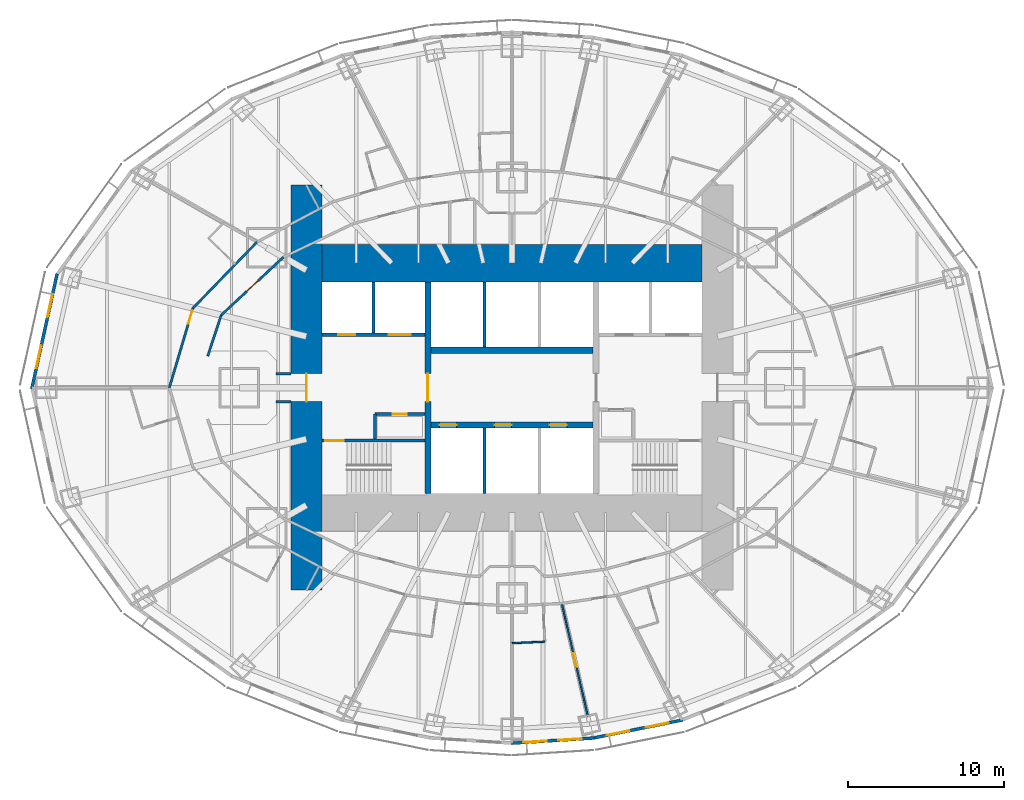
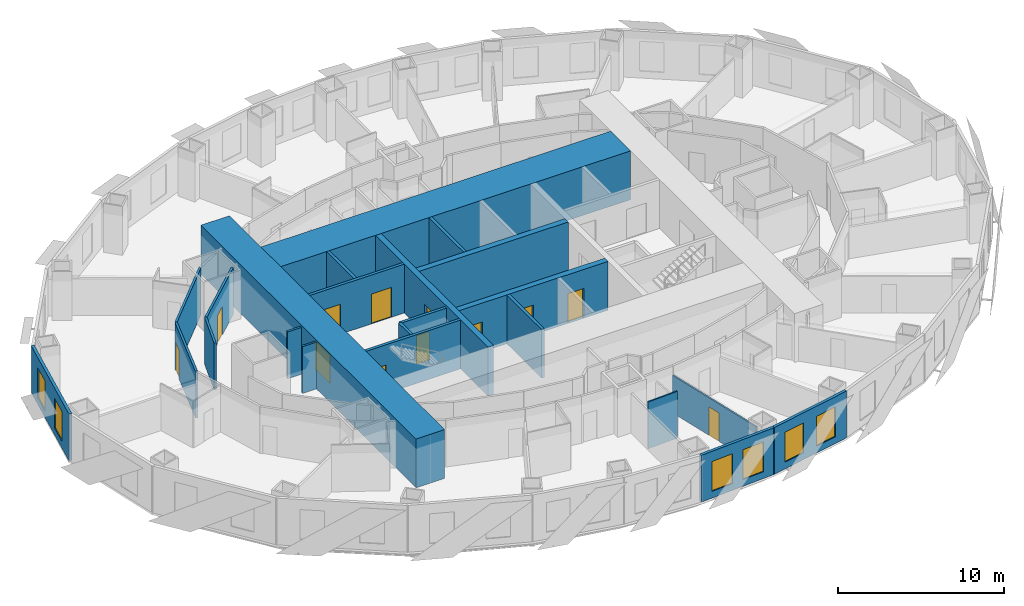
# One storey, part 6 of 15: 23 walls, 12 doors, 6 windows, 18 openings.
"""IFC4 building model written with IfcOpenShell, lengths in metres."""

from ifc_helpers import new_model, si_unit, direction, frame, frame_2d, origin, place, context, subcontext, project, spatial, rectangle, extrude, material, layer, layer_set, type_object, element, fill, save


model = new_model("IFC4")

# Units and contexts
model_context = context("Model", 3, precision=1e-05, world=origin(), true_north=direction((0.0, 1.0)))
body_context = subcontext(model_context, "Body", "Model", "MODEL_VIEW")
ifc_project = project(units=[si_unit("LENGTHUNIT", "METRE"), si_unit("AREAUNIT", "SQUARE_METRE"), si_unit("VOLUMEUNIT", "CUBIC_METRE"), si_unit("PLANEANGLEUNIT", "RADIAN"), si_unit("MASSUNIT", "GRAM", prefix="KILO")], contexts=[model_context])

# Site, building, storey
site_placement = place(None, origin())
site = spatial("IfcSite", under=ifc_project, at=site_placement, CompositionType="ELEMENT")
building_placement = place(site_placement, origin())
building = spatial("IfcBuilding", under=site, at=building_placement, Name="Lantaw Convention Tower", CompositionType="ELEMENT")
storey_placement = place(building_placement, frame((0.0, 0.0, 76.60009765625)))
storey = spatial("IfcBuildingStorey", under=building, at=storey_placement, Name="L17", CompositionType="ELEMENT", Elevation=76.60009765625)

# Wall
ifc_material_1 = material(Name="Moisture resistant gypsum board on steel studs", Category="steel")
ifc_layer_1 = layer(ifc_material_1, 0.10009765625)
ifc_layer_set_1 = layer_set([ifc_layer_1], Name="Bathroom wall 100")
wall_type_1 = type_object("IfcWallType", Name="Bathroom wall 100", PredefinedType="PARTITIONING", material=ifc_layer_set_1)
wall_1_placement = place(storey_placement, frame((2.109375, -16.304443359375, 0.0), z_axis=(0.0, 0.0, 1.0), x_axis=(-0.998919337223, -0.04647749694, 0.0)))
element("IfcWall", 1, at=wall_1_placement, inside=storey, type_object=wall_type_1, Name="Bathroom wall 100", PredefinedType="PARTITIONING", context=body_context, shape_type="SweptSolid", body=[
    extrude(rectangle(XDim=2.111572265625, YDim=0.10009765625, at=frame_2d((1.0556640625, 0.0))), origin(), (0.0, 0.0, 1.0), 3.449951171875),
])

# Wall, opening, door
ifc_material_2 = material(Name="Concrete C60/75", Category="concrete")
ifc_layer_2 = layer(ifc_material_2, 0.199951171875)
ifc_layer_set_2 = layer_set([ifc_layer_2], Name="Core wall 200")
wall_type_2 = type_object("IfcWallType", Name="Core wall 200", PredefinedType="SHEAR", material=ifc_layer_set_2)
wall_2_placement = place(storey_placement, frame((-5.60009765625, -3.39990234375, 0.0), z_axis=(0.0, 0.0, 1.0), x_axis=(-1.0, 0.0, 0.0)))
wall_2 = element("IfcWall", 2, at=wall_2_placement, inside=storey, type_object=wall_type_2, Name="Core wall WS", PredefinedType="SHEAR", context=body_context, shape_type="SweptSolid", body=[
    extrude(rectangle(XDim=6.599853515625, YDim=0.199951171875, at=frame_2d((3.2998046875, 0.0))), origin(), (0.0, 0.0, 1.0), 3.599853515625),
])
opening_1_placement = place(wall_2_placement, frame((5.199951171875, 0.0, 0.0)))
opening_1 = element("IfcOpeningElement", 3, at=opening_1_placement, cuts=wall_2, Name="Opening L17.06", PredefinedType="OPENING", context=body_context, shape_type="SweptSolid", body=[
    extrude(rectangle(XDim=1.199951171875, YDim=2.10009765625, at=frame_2d((0.60009765625, 1.050048828125))), frame((0.0, 0.10986328125, 0.0), z_axis=(0.0, -1.0, 0.0), x_axis=(1.0, 0.0, 0.0)), (0.0, 0.0, 1.0), 0.219970703125),
])
ifc_material_3 = material(Name="Steel, fire rated", Category="steel")
door_type_1 = type_object("IfcDoorType", Name="Stair door FD90", OperationType="SINGLE_SWING_RIGHT", PredefinedType="DOOR", material=ifc_material_3)
door_1_placement = place(opening_1_placement, origin())
door_1 = element("IfcDoor", 4, at=door_1_placement, inside=storey, type_object=door_type_1, Name="Exit stair door", OperationType="SINGLE_SWING_RIGHT", OverallHeight=2.10009765625, OverallWidth=1.199951171875, PredefinedType="DOOR", context=body_context, shape_type="SweptSolid", body=[
    extrude(rectangle(XDim=1.199951171875, YDim=2.10009765625, at=frame_2d((0.60009765625, 1.050048828125))), frame((0.0, 0.02490234375, 0.0), z_axis=(0.0, -1.0, 0.0), x_axis=(1.0, 0.0, 0.0)), (0.0, 0.0, 1.0), 0.050048828125),
])
fill(opening_1, door_1)

ifc_layer_3 = layer(ifc_material_2, 2.0)
ifc_layer_set_3 = layer_set([ifc_layer_3], Name="Core wall 2000")
wall_type_3 = type_object("IfcWallType", Name="Core wall 2000", PredefinedType="SHEAR", material=ifc_layer_set_3)
wall_3_placement = place(storey_placement, frame((-13.199951171875, 13.0, 0.0), z_axis=(0.0, 0.0, 1.0), x_axis=(0.0, -1.0, 0.0)))
wall_3 = element("IfcWall", 5, at=wall_3_placement, inside=storey, type_object=wall_type_3, Name="Core wall W", PredefinedType="SHEAR", context=body_context, shape_type="SweptSolid", body=[
    extrude(rectangle(XDim=26.0, YDim=2.0, at=frame_2d((13.0, 0.0))), origin(), (0.0, 0.0, 1.0), 3.599853515625),
])
opening_2_placement = place(wall_3_placement, frame((12.10009765625, 0.0, 0.0)))
opening_2 = element("IfcOpeningElement", 6, at=opening_2_placement, cuts=wall_3, Name="Opening L17.08", PredefinedType="OPENING", context=body_context, shape_type="SweptSolid", body=[
    extrude(rectangle(XDim=1.800048828125, YDim=2.10009765625, at=frame_2d((0.89990234375, 1.050048828125))), frame((0.0, 1.010009765625, 0.0), z_axis=(0.0, -1.0, 0.0), x_axis=(1.0, 0.0, 0.0)), (0.0, 0.0, 1.0), 2.02001953125),
])
door_type_2 = type_object("IfcDoorType", Name="Lobby double door FD90", OperationType="DOUBLE_DOOR_DOUBLE_SWING", PredefinedType="DOOR", material=ifc_material_3)
door_2_placement = place(opening_2_placement, origin())
door_2 = element("IfcDoor", 7, at=door_2_placement, inside=storey, type_object=door_type_2, Name="Firefighting lobby door", OperationType="DOUBLE_DOOR_DOUBLE_SWING", OverallHeight=2.10009765625, OverallWidth=1.800048828125, PredefinedType="DOOR", context=body_context, shape_type="SweptSolid", body=[
    extrude(rectangle(XDim=1.800048828125, YDim=2.10009765625, at=frame_2d((0.89990234375, 1.050048828125))), frame((0.0, 0.02490234375, 0.0), z_axis=(0.0, -1.0, 0.0), x_axis=(1.0, 0.0, 0.0)), (0.0, 0.0, 1.0), 0.050048828125),
])
fill(opening_2, door_2)

# Wall
ifc_layer_4 = layer(ifc_material_2, 2.39990234375)
ifc_layer_set_4 = layer_set([ifc_layer_4], Name="Core wall 2400")
wall_type_4 = type_object("IfcWallType", Name="Core wall 2400", PredefinedType="SHEAR", material=ifc_layer_set_4)
wall_4_placement = place(storey_placement, frame((12.199951171875, 8.0, 0.0), z_axis=(0.0, 0.0, 1.0), x_axis=(-1.0, 0.0, 0.0)))
element("IfcWall", 8, at=wall_4_placement, inside=storey, type_object=wall_type_4, Name="Core wall N", PredefinedType="SHEAR", context=body_context, shape_type="SweptSolid", body=[
    extrude(rectangle(XDim=24.39990234375, YDim=2.39990234375, at=frame_2d((12.199951171875, 0.0))), origin(), (0.0, 0.0, 1.0), 3.599853515625),
])

# Wall, opening, door
ifc_layer_5 = layer(ifc_material_2, 0.39990234375)
ifc_layer_set_5 = layer_set([ifc_layer_5], Name="Core wall 400")
wall_type_5 = type_object("IfcWallType", Name="Core wall 400", PredefinedType="SHEAR", material=ifc_layer_set_5)
wall_5_placement = place(storey_placement, frame((-5.39990234375, 6.800048828125, 0.0), z_axis=(0.0, 0.0, 1.0), x_axis=(0.0, -1.0, 0.0)))
wall_5 = element("IfcWall", 9, at=wall_5_placement, inside=storey, type_object=wall_type_5, Name="Core wall XW", PredefinedType="SHEAR", context=body_context, shape_type="SweptSolid", body=[
    extrude(rectangle(XDim=13.60009765625, YDim=0.39990234375, at=frame_2d((6.800048828125, 0.0))), origin(), (0.0, 0.0, 1.0), 3.599853515625),
])
opening_3_placement = place(wall_5_placement, frame((5.89990234375, 0.0, 0.0)))
opening_3 = element("IfcOpeningElement", 10, at=opening_3_placement, cuts=wall_5, Name="Opening L17.04", PredefinedType="OPENING", context=body_context, shape_type="SweptSolid", body=[
    extrude(rectangle(XDim=1.800048828125, YDim=2.10009765625, at=frame_2d((0.89990234375, 1.050048828125))), frame((0.0, 0.2099609375, 0.0), z_axis=(0.0, -1.0, 0.0), x_axis=(1.0, 0.0, 0.0)), (0.0, 0.0, 1.0), 0.419921875),
])
door_3_placement = place(opening_3_placement, origin())
door_3 = element("IfcDoor", 11, at=door_3_placement, inside=storey, type_object=door_type_2, Name="Lift lobby door", OperationType="DOUBLE_DOOR_DOUBLE_SWING", OverallHeight=2.10009765625, OverallWidth=1.800048828125, PredefinedType="DOOR", context=body_context, shape_type="SweptSolid", body=[
    extrude(rectangle(XDim=1.800048828125, YDim=2.10009765625, at=frame_2d((0.89990234375, 1.050048828125))), frame((0.0, 0.02490234375, 0.0), z_axis=(0.0, -1.0, 0.0), x_axis=(1.0, 0.0, 0.0)), (0.0, 0.0, 1.0), 0.050048828125),
])
fill(opening_3, door_3)

# Wall, openings, doors
wall_6_placement = place(storey_placement, frame((-5.199951171875, -2.39990234375, 0.0), z_axis=(0.0, 0.0, 1.0), x_axis=(1.0, 0.0, 0.0)))
wall_6 = element("IfcWall", 12, at=wall_6_placement, inside=storey, type_object=wall_type_5, Name="Core wall BS", PredefinedType="SHEAR", context=body_context, shape_type="SweptSolid", body=[
    extrude(rectangle(XDim=10.39990234375, YDim=0.39990234375, at=frame_2d((5.199951171875, 0.0))), origin(), (0.0, 0.0, 1.0), 3.599853515625),
])
opening_4_placement = place(wall_6_placement, frame((0.550048828125, 0.0, 0.0)))
opening_4 = element("IfcOpeningElement", 13, at=opening_4_placement, cuts=wall_6, Name="Opening L17.09", PredefinedType="OPENING", context=body_context, shape_type="SweptSolid", body=[
    extrude(rectangle(XDim=1.10009765625, YDim=2.199951171875, at=frame_2d((0.550048828125, 1.10009765625))), frame((0.0, 0.2099609375, 0.0), z_axis=(0.0, -1.0, 0.0), x_axis=(1.0, 0.0, 0.0)), (0.0, 0.0, 1.0), 0.419921875),
])
opening_5_placement = place(wall_6_placement, frame((4.083251953125, 0.0, 0.0)))
opening_5 = element("IfcOpeningElement", 14, at=opening_5_placement, cuts=wall_6, Name="Opening L17.10", PredefinedType="OPENING", context=body_context, shape_type="SweptSolid", body=[
    extrude(rectangle(XDim=1.10009765625, YDim=2.199951171875, at=frame_2d((0.550048828125, 1.10009765625))), frame((0.0, 0.2099609375, 0.0), z_axis=(0.0, -1.0, 0.0), x_axis=(1.0, 0.0, 0.0)), (0.0, 0.0, 1.0), 0.419921875),
])
opening_6_placement = place(wall_6_placement, frame((7.61669921875, 0.0, 0.0)))
opening_6 = element("IfcOpeningElement", 15, at=opening_6_placement, cuts=wall_6, Name="Opening L17.11", PredefinedType="OPENING", context=body_context, shape_type="SweptSolid", body=[
    extrude(rectangle(XDim=1.10009765625, YDim=2.199951171875, at=frame_2d((0.550048828125, 1.10009765625))), frame((0.0, 0.2099609375, 0.0), z_axis=(0.0, -1.0, 0.0), x_axis=(1.0, 0.0, 0.0)), (0.0, 0.0, 1.0), 0.419921875),
])
ifc_material_4 = material(Name="Stainless steel", Category="steel")
door_type_3 = type_object("IfcDoorType", Name="Lift landing door 1100", OperationType="DOUBLE_DOOR_SLIDING", PredefinedType="DOOR", material=ifc_material_4)
door_4_placement = place(opening_4_placement, origin())
door_4 = element("IfcDoor", 16, at=door_4_placement, inside=storey, type_object=door_type_3, Name="Lift landing door H1", OperationType="DOUBLE_DOOR_SLIDING", OverallHeight=2.199951171875, OverallWidth=1.10009765625, PredefinedType="DOOR", context=body_context, shape_type="SweptSolid", body=[
    extrude(rectangle(XDim=1.10009765625, YDim=2.199951171875, at=frame_2d((0.550048828125, 1.10009765625))), frame((0.0, 0.02490234375, 0.0), z_axis=(0.0, -1.0, 0.0), x_axis=(1.0, 0.0, 0.0)), (0.0, 0.0, 1.0), 0.050048828125),
])
fill(opening_4, door_4)
door_5_placement = place(opening_5_placement, origin())
door_5 = element("IfcDoor", 17, at=door_5_placement, inside=storey, type_object=door_type_3, Name="Lift landing door H2", OperationType="DOUBLE_DOOR_SLIDING", OverallHeight=2.199951171875, OverallWidth=1.10009765625, PredefinedType="DOOR", context=body_context, shape_type="SweptSolid", body=[
    extrude(rectangle(XDim=1.10009765625, YDim=2.199951171875, at=frame_2d((0.550048828125, 1.10009765625))), frame((0.0, 0.02490234375, 0.0), z_axis=(0.0, -1.0, 0.0), x_axis=(1.0, 0.0, 0.0)), (0.0, 0.0, 1.0), 0.050048828125),
])
fill(opening_5, door_5)
door_6_placement = place(opening_6_placement, origin())
door_6 = element("IfcDoor", 18, at=door_6_placement, inside=storey, type_object=door_type_3, Name="Lift landing door H3", OperationType="DOUBLE_DOOR_SLIDING", OverallHeight=2.199951171875, OverallWidth=1.10009765625, PredefinedType="DOOR", context=body_context, shape_type="SweptSolid", body=[
    extrude(rectangle(XDim=1.10009765625, YDim=2.199951171875, at=frame_2d((0.550048828125, 1.10009765625))), frame((0.0, 0.02490234375, 0.0), z_axis=(0.0, -1.0, 0.0), x_axis=(1.0, 0.0, 0.0)), (0.0, 0.0, 1.0), 0.050048828125),
])
fill(opening_6, door_6)

# Walls
wall_7_placement = place(storey_placement, frame((5.199951171875, 2.39990234375, 0.0), z_axis=(0.0, 0.0, 1.0), x_axis=(-1.0, 0.0, 0.0)))
element("IfcWall", 19, at=wall_7_placement, inside=storey, type_object=wall_type_5, Name="Core wall BN", PredefinedType="SHEAR", context=body_context, shape_type="SweptSolid", body=[
    extrude(rectangle(XDim=10.39990234375, YDim=0.39990234375, at=frame_2d((5.199951171875, 0.0))), origin(), (0.0, 0.0, 1.0), 3.599853515625),
])
ifc_material_5 = material(Name="Gypsum board on steel studs, fire rated", Category="steel")
ifc_layer_6 = layer(ifc_material_5, 0.14990234375)
ifc_layer_set_6 = layer_set([ifc_layer_6], Name="Corridor wall 150 EI 60")
wall_type_6 = type_object("IfcWallType", Name="Corridor wall 150 EI 60", PredefinedType="PARTITIONING", material=ifc_layer_set_6)
wall_8_placement = place(storey_placement, frame((-16.369140625, 9.353759765625, 0.0), z_axis=(0.0, 0.0, 1.0), x_axis=(-0.695871090686, -0.71816671125, 0.0)))
element("IfcWall", 20, at=wall_8_placement, inside=storey, type_object=wall_type_6, Name="Corridor wall 150", PredefinedType="PARTITIONING", context=body_context, shape_type="SweptSolid", body=[
    extrude(rectangle(XDim=5.9130859375, YDim=0.14990234375, at=frame_2d((2.95654296875, 0.0))), origin(), (0.0, 0.0, 1.0), 3.449951171875),
])

# Wall, opening, door
wall_9_placement = place(storey_placement, frame((-20.48388671875, 5.107177734375, 0.0), z_axis=(0.0, 0.0, 1.0), x_axis=(-0.284584469409, -0.95865096869, 0.0)))
wall_9 = element("IfcWall", 21, at=wall_9_placement, inside=storey, type_object=wall_type_6, Name="Corridor wall 150", PredefinedType="PARTITIONING", context=body_context, shape_type="SweptSolid", body=[
    extrude(rectangle(XDim=5.327392578125, YDim=0.14990234375, at=frame_2d((2.66357421875, 0.0))), origin(), (0.0, 0.0, 1.0), 3.449951171875),
])
opening_7_placement = place(wall_9_placement, frame((0.14990234375, 0.0, 0.0)))
opening_7 = element("IfcOpeningElement", 22, at=opening_7_placement, cuts=wall_9, Name="Opening L17.40", PredefinedType="OPENING", context=body_context, shape_type="SweptSolid", body=[
    extrude(rectangle(XDim=0.89990234375, YDim=2.10009765625, at=frame_2d((0.449951171875, 1.050048828125))), frame((0.0, 0.0849609375, 0.0), z_axis=(0.0, -1.0, 0.0), x_axis=(1.0, 0.0, 0.0)), (0.0, 0.0, 1.0), 0.169921875),
])
door_type_4 = type_object("IfcDoorType", Name="Guest room entrance door FD30S", OperationType="SINGLE_SWING_LEFT", PredefinedType="DOOR", material=ifc_material_3)
door_7_placement = place(opening_7_placement, origin())
door_7 = element("IfcDoor", 23, at=door_7_placement, inside=storey, type_object=door_type_4, Name="Junior suite entrance door", OperationType="SINGLE_SWING_LEFT", OverallHeight=2.10009765625, OverallWidth=0.89990234375, PredefinedType="DOOR", context=body_context, shape_type="SweptSolid", body=[
    extrude(rectangle(XDim=0.89990234375, YDim=2.10009765625, at=frame_2d((0.449951171875, 1.050048828125))), frame((0.0, 0.02490234375, 0.0), z_axis=(0.0, -1.0, 0.0), x_axis=(1.0, 0.0, 0.0)), (0.0, 0.0, 1.0), 0.050048828125),
])
fill(opening_7, door_7)

wall_10_placement = place(storey_placement, frame((-14.67333984375, 8.384765625, 0.0), z_axis=(0.0, 0.0, 1.0), x_axis=(-0.731260145007, -0.682098673452, 0.0)))
wall_10 = element("IfcWall", 24, at=wall_10_placement, inside=storey, type_object=wall_type_6, Name="Corridor wall 150", PredefinedType="PARTITIONING", context=body_context, shape_type="SweptSolid", body=[
    extrude(rectangle(XDim=5.4677734375, YDim=0.14990234375, at=frame_2d((2.73388671875, 0.0))), origin(), (0.0, 0.0, 1.0), 3.449951171875),
])
opening_8_placement = place(wall_10_placement, frame((2.23388671875, 0.0, 0.0)))
opening_8 = element("IfcOpeningElement", 25, at=opening_8_placement, cuts=wall_10, Name="Opening L17.18", PredefinedType="OPENING", context=body_context, shape_type="SweptSolid", body=[
    extrude(rectangle(XDim=1.0, YDim=2.10009765625, at=frame_2d((0.5, 1.050048828125))), frame((0.0, 0.0849609375, 0.0), z_axis=(0.0, -1.0, 0.0), x_axis=(1.0, 0.0, 0.0)), (0.0, 0.0, 1.0), 0.169921875),
])
door_type_5 = type_object("IfcDoorType", Name="Service door 1000 FD30", OperationType="SINGLE_SWING_LEFT", PredefinedType="DOOR", material=ifc_material_3)
door_8_placement = place(opening_8_placement, origin())
door_8 = element("IfcDoor", 26, at=door_8_placement, inside=storey, type_object=door_type_5, Name="Housekeeping room door", OperationType="SINGLE_SWING_LEFT", OverallHeight=2.10009765625, OverallWidth=1.0, PredefinedType="DOOR", context=body_context, shape_type="SweptSolid", body=[
    extrude(rectangle(XDim=1.0, YDim=2.10009765625, at=frame_2d((0.5, 1.050048828125))), frame((0.0, 0.02490234375, 0.0), z_axis=(0.0, -1.0, 0.0), x_axis=(1.0, 0.0, 0.0)), (0.0, 0.0, 1.0), 0.050048828125),
])
fill(opening_8, door_8)

# Walls
wall_11_placement = place(storey_placement, frame((-18.671630859375, 4.6552734375, 0.0), z_axis=(0.0, 0.0, 1.0), x_axis=(-0.311929965981, -0.950105097515, 0.0)))
element("IfcWall", 27, at=wall_11_placement, inside=storey, type_object=wall_type_6, Name="Corridor wall 150", PredefinedType="PARTITIONING", context=body_context, shape_type="SweptSolid", body=[
    extrude(rectangle(XDim=2.762939453125, YDim=0.14990234375, at=frame_2d((1.38134765625, 0.0))), origin(), (0.0, 0.0, 1.0), 3.449951171875),
])
for number, where, z_axis, x_axis, name in (
    (28, (-14.199951171875, -0.89990234375, 0.0), (0.0, 0.0, 1.0), (-1.0, 0.0, 0.0), "Corridor wall 150"),
    (29, (-14.199951171875, 0.89990234375, 0.0), (0.0, 0.0, 1.0), (-1.0, 0.0, 0.0), "Corridor wall 150"),
):
    element("IfcWall", number, at=place(storey_placement, frame(where, z_axis=z_axis, x_axis=x_axis)), inside=storey, type_object=wall_type_6, Name=name, PredefinedType="PARTITIONING", context=body_context, shape_type="SweptSolid", body=[
        extrude(rectangle(XDim=0.965087890625, YDim=0.14990234375, at=frame_2d((0.482421875, 0.0))), origin(), (0.0, 0.0, 1.0), 3.449951171875),
    ])

# Wall, openings, windows
ifc_material_6 = material(Name="Insulated aluminium panel on steel frame", Category="steel")
ifc_layer_7 = layer(ifc_material_6, 0.199951171875)
ifc_layer_set_7 = layer_set([ifc_layer_7], Name="External wall 200")
wall_type_7 = type_object("IfcWallType", Name="External wall 200", PredefinedType="SOLIDWALL", material=ifc_layer_set_7)
wall_12_placement = place(storey_placement, frame((-29.207763671875, 7.318115234375, 0.0), z_axis=(0.0, 0.0, 1.0), x_axis=(-0.215238065514, -0.976561608478, 0.0)))
wall_12 = element("IfcWall", 30, at=wall_12_placement, inside=storey, type_object=wall_type_7, Name="Facade panel wall", PredefinedType="SOLIDWALL", context=body_context, shape_type="SweptSolid", body=[
    extrude(rectangle(XDim=7.562255859375, YDim=0.199951171875, at=frame_2d((3.78125, 0.0))), origin(), (0.0, 0.0, 1.0), 3.449951171875),
])
opening_9_placement = place(wall_12_placement, frame((1.340576171875, 0.0, 0.5)))
opening_9 = element("IfcOpeningElement", 31, at=opening_9_placement, cuts=wall_12, Name="Opening W2", PredefinedType="OPENING", context=body_context, shape_type="SweptSolid", body=[
    extrude(rectangle(XDim=1.5, YDim=2.199951171875, at=frame_2d((0.75, 1.10009765625))), frame((0.0, 0.10986328125, 0.0), z_axis=(0.0, -1.0, 0.0), x_axis=(1.0, 0.0, 0.0)), (0.0, 0.0, 1.0), 0.219970703125),
])
opening_10_placement = place(wall_12_placement, frame((4.7216796875, 0.0, 0.5)))
opening_10 = element("IfcOpeningElement", 32, at=opening_10_placement, cuts=wall_12, Name="Opening W2", PredefinedType="OPENING", context=body_context, shape_type="SweptSolid", body=[
    extrude(rectangle(XDim=1.5, YDim=2.199951171875, at=frame_2d((0.75, 1.10009765625))), frame((0.0, 0.10986328125, 0.0), z_axis=(0.0, -1.0, 0.0), x_axis=(1.0, 0.0, 0.0)), (0.0, 0.0, 1.0), 0.219970703125),
])
ifc_material_7 = material(Name="Aluminium frame, clear insulating glass", Category="aluminium")
window_type = type_object("IfcWindowType", Name="Suite window 1500x2200", PartitioningType="SINGLE_PANEL", PredefinedType="WINDOW", material=ifc_material_7)
window_1_placement = place(opening_9_placement, origin())
window_1 = element("IfcWindow", 33, at=window_1_placement, inside=storey, type_object=window_type, Name="Guest room window", OverallHeight=2.199951171875, OverallWidth=1.5, PartitioningType="SINGLE_PANEL", PredefinedType="WINDOW", context=body_context, shape_type="SweptSolid", body=[
    extrude(rectangle(XDim=1.5, YDim=2.199951171875, at=frame_2d((0.75, 1.10009765625))), frame((0.0, 0.030029296875, 0.0), z_axis=(0.0, -1.0, 0.0), x_axis=(1.0, 0.0, 0.0)), (0.0, 0.0, 1.0), 0.06005859375),
])
fill(opening_9, window_1)
window_2_placement = place(opening_10_placement, origin())
window_2 = element("IfcWindow", 34, at=window_2_placement, inside=storey, type_object=window_type, Name="Guest room window", OverallHeight=2.199951171875, OverallWidth=1.5, PartitioningType="SINGLE_PANEL", PredefinedType="WINDOW", context=body_context, shape_type="SweptSolid", body=[
    extrude(rectangle(XDim=1.5, YDim=2.199951171875, at=frame_2d((0.75, 1.10009765625))), frame((0.0, 0.030029296875, 0.0), z_axis=(0.0, -1.0, 0.0), x_axis=(1.0, 0.0, 0.0)), (0.0, 0.0, 1.0), 0.06005859375),
])
fill(opening_10, window_2)

wall_13_placement = place(storey_placement, frame((-0.041015625, -22.8271484375, 0.0), z_axis=(0.0, 0.0, 1.0), x_axis=(0.998018582375, 0.062919863585, 0.0)))
wall_13 = element("IfcWall", 35, at=wall_13_placement, inside=storey, type_object=wall_type_7, Name="Facade panel wall", PredefinedType="SOLIDWALL", context=body_context, shape_type="SweptSolid", body=[
    extrude(rectangle(XDim=5.30419921875, YDim=0.199951171875, at=frame_2d((2.652099609375, 0.0))), origin(), (0.0, 0.0, 1.0), 3.449951171875),
])
opening_11_placement = place(wall_13_placement, frame((0.77587890625, 0.0, 0.5)))
opening_11 = element("IfcOpeningElement", 36, at=opening_11_placement, cuts=wall_13, Name="Opening W2", PredefinedType="OPENING", context=body_context, shape_type="SweptSolid", body=[
    extrude(rectangle(XDim=1.5, YDim=2.199951171875, at=frame_2d((0.75, 1.10009765625))), frame((0.0, 0.10986328125, 0.0), z_axis=(0.0, -1.0, 0.0), x_axis=(1.0, 0.0, 0.0)), (0.0, 0.0, 1.0), 0.219970703125),
])
opening_12_placement = place(wall_13_placement, frame((3.028076171875, 0.0, 0.5)))
opening_12 = element("IfcOpeningElement", 37, at=opening_12_placement, cuts=wall_13, Name="Opening W2", PredefinedType="OPENING", context=body_context, shape_type="SweptSolid", body=[
    extrude(rectangle(XDim=1.5, YDim=2.199951171875, at=frame_2d((0.75, 1.10009765625))), frame((0.0, 0.10986328125, 0.0), z_axis=(0.0, -1.0, 0.0), x_axis=(1.0, 0.0, 0.0)), (0.0, 0.0, 1.0), 0.219970703125),
])
window_3_placement = place(opening_11_placement, origin())
window_3 = element("IfcWindow", 38, at=window_3_placement, inside=storey, type_object=window_type, Name="Guest room window", OverallHeight=2.199951171875, OverallWidth=1.5, PartitioningType="SINGLE_PANEL", PredefinedType="WINDOW", context=body_context, shape_type="SweptSolid", body=[
    extrude(rectangle(XDim=1.5, YDim=2.199951171875, at=frame_2d((0.75, 1.10009765625))), frame((0.0, 0.030029296875, 0.0), z_axis=(0.0, -1.0, 0.0), x_axis=(1.0, 0.0, 0.0)), (0.0, 0.0, 1.0), 0.06005859375),
])
fill(opening_11, window_3)
window_4_placement = place(opening_12_placement, origin())
window_4 = element("IfcWindow", 39, at=window_4_placement, inside=storey, type_object=window_type, Name="Guest room window", OverallHeight=2.199951171875, OverallWidth=1.5, PartitioningType="SINGLE_PANEL", PredefinedType="WINDOW", context=body_context, shape_type="SweptSolid", body=[
    extrude(rectangle(XDim=1.5, YDim=2.199951171875, at=frame_2d((0.75, 1.10009765625))), frame((0.0, 0.030029296875, 0.0), z_axis=(0.0, -1.0, 0.0), x_axis=(1.0, 0.0, 0.0)), (0.0, 0.0, 1.0), 0.06005859375),
])
fill(opening_12, window_4)

wall_14_placement = place(storey_placement, frame((5.169677734375, -22.504150390625, 0.0), z_axis=(0.0, 0.0, 1.0), x_axis=(0.980251657452, 0.197754110105, 0.0)))
wall_14 = element("IfcWall", 40, at=wall_14_placement, inside=storey, type_object=wall_type_7, Name="Facade panel wall", PredefinedType="SOLIDWALL", context=body_context, shape_type="SweptSolid", body=[
    extrude(rectangle(XDim=5.90380859375, YDim=0.199951171875, at=frame_2d((2.951904296875, 0.0))), origin(), (0.0, 0.0, 1.0), 3.449951171875),
])
opening_13_placement = place(wall_14_placement, frame((0.92578125, 0.0, 0.5)))
opening_13 = element("IfcOpeningElement", 41, at=opening_13_placement, cuts=wall_14, Name="Opening W2", PredefinedType="OPENING", context=body_context, shape_type="SweptSolid", body=[
    extrude(rectangle(XDim=1.5, YDim=2.199951171875, at=frame_2d((0.75, 1.10009765625))), frame((0.0, 0.10986328125, 0.0), z_axis=(0.0, -1.0, 0.0), x_axis=(1.0, 0.0, 0.0)), (0.0, 0.0, 1.0), 0.219970703125),
])
opening_14_placement = place(wall_14_placement, frame((3.477783203125, 0.0, 0.5)))
opening_14 = element("IfcOpeningElement", 42, at=opening_14_placement, cuts=wall_14, Name="Opening W2", PredefinedType="OPENING", context=body_context, shape_type="SweptSolid", body=[
    extrude(rectangle(XDim=1.5, YDim=2.199951171875, at=frame_2d((0.75, 1.10009765625))), frame((0.0, 0.10986328125, 0.0), z_axis=(0.0, -1.0, 0.0), x_axis=(1.0, 0.0, 0.0)), (0.0, 0.0, 1.0), 0.219970703125),
])
window_5_placement = place(opening_13_placement, origin())
window_5 = element("IfcWindow", 43, at=window_5_placement, inside=storey, type_object=window_type, Name="Guest room window", OverallHeight=2.199951171875, OverallWidth=1.5, PartitioningType="SINGLE_PANEL", PredefinedType="WINDOW", context=body_context, shape_type="SweptSolid", body=[
    extrude(rectangle(XDim=1.5, YDim=2.199951171875, at=frame_2d((0.75, 1.10009765625))), frame((0.0, 0.030029296875, 0.0), z_axis=(0.0, -1.0, 0.0), x_axis=(1.0, 0.0, 0.0)), (0.0, 0.0, 1.0), 0.06005859375),
])
fill(opening_13, window_5)
window_6_placement = place(opening_14_placement, origin())
window_6 = element("IfcWindow", 44, at=window_6_placement, inside=storey, type_object=window_type, Name="Guest room window", OverallHeight=2.199951171875, OverallWidth=1.5, PartitioningType="SINGLE_PANEL", PredefinedType="WINDOW", context=body_context, shape_type="SweptSolid", body=[
    extrude(rectangle(XDim=1.5, YDim=2.199951171875, at=frame_2d((0.75, 1.10009765625))), frame((0.0, 0.030029296875, 0.0), z_axis=(0.0, -1.0, 0.0), x_axis=(1.0, 0.0, 0.0)), (0.0, 0.0, 1.0), 0.06005859375),
])
fill(opening_14, window_6)

# Wall, opening, door
ifc_material_8 = material(Name="Concrete blockwork, fire rated", Category="masonry")
ifc_layer_8 = layer(ifc_material_8, 0.199951171875)
ifc_layer_set_8 = layer_set([ifc_layer_8], Name="Plant room wall 200 EI 120")
wall_type_8 = type_object("IfcWallType", Name="Plant room wall 200 EI 120", PredefinedType="SOLIDWALL", material=ifc_layer_set_8)
wall_15_placement = place(storey_placement, frame((-5.60009765625, -1.699951171875, 0.0), z_axis=(0.0, 0.0, 1.0), x_axis=(-1.0, 0.0, 0.0)))
wall_15 = element("IfcWall", 45, at=wall_15_placement, inside=storey, type_object=wall_type_8, Name="Plant room wall 200", PredefinedType="SOLIDWALL", context=body_context, shape_type="SweptSolid", body=[
    extrude(rectangle(XDim=3.199951171875, YDim=0.199951171875, at=frame_2d((1.60009765625, 0.0))), origin(), (0.0, 0.0, 1.0), 3.449951171875),
])
opening_15_placement = place(wall_15_placement, frame((1.14990234375, 0.0, 0.0)))
opening_15 = element("IfcOpeningElement", 46, at=opening_15_placement, cuts=wall_15, Name="Opening L17.01", PredefinedType="OPENING", context=body_context, shape_type="SweptSolid", body=[
    extrude(rectangle(XDim=0.89990234375, YDim=2.10009765625, at=frame_2d((0.449951171875, 1.050048828125))), frame((0.0, 0.10986328125, 0.0), z_axis=(0.0, -1.0, 0.0), x_axis=(1.0, 0.0, 0.0)), (0.0, 0.0, 1.0), 0.219970703125),
])
door_type_6 = type_object("IfcDoorType", Name="Service door 900 FD60", OperationType="SINGLE_SWING_LEFT", PredefinedType="DOOR", material=ifc_material_3)
door_9_placement = place(opening_15_placement, origin())
door_9 = element("IfcDoor", 47, at=door_9_placement, inside=storey, type_object=door_type_6, Name="IT and comms room door", OperationType="SINGLE_SWING_LEFT", OverallHeight=2.10009765625, OverallWidth=0.89990234375, PredefinedType="DOOR", context=body_context, shape_type="SweptSolid", body=[
    extrude(rectangle(XDim=0.89990234375, YDim=2.10009765625, at=frame_2d((0.449951171875, 1.050048828125))), frame((0.0, 0.02490234375, 0.0), z_axis=(0.0, -1.0, 0.0), x_axis=(1.0, 0.0, 0.0)), (0.0, 0.0, 1.0), 0.050048828125),
])
fill(opening_15, door_9)

# Walls
wall_16_placement = place(storey_placement, frame((-8.800048828125, -1.699951171875, 0.0), z_axis=(0.0, 0.0, 1.0), x_axis=(0.0, -1.0, 0.0)))
element("IfcWall", 48, at=wall_16_placement, inside=storey, type_object=wall_type_8, Name="Plant room wall 200", PredefinedType="SOLIDWALL", context=body_context, shape_type="SweptSolid", body=[
    extrude(rectangle(XDim=1.60009765625, YDim=0.199951171875, at=frame_2d((0.800048828125, 0.0))), origin(), (0.0, 0.0, 1.0), 3.449951171875),
])
ifc_layer_9 = layer(ifc_material_8, 0.199951171875)
ifc_layer_set_9 = layer_set([ifc_layer_9], Name="Shaft wall 200")
wall_type_9 = type_object("IfcWallType", Name="Shaft wall 200", PredefinedType="SOLIDWALL", material=ifc_layer_set_9)
wall_17_placement = place(storey_placement, frame((-1.7666015625, 2.60009765625, 0.0), z_axis=(0.0, 0.0, 1.0), x_axis=(0.0, 1.0, 0.0)))
element("IfcWall", 49, at=wall_17_placement, inside=storey, type_object=wall_type_9, Name="Shaft wall DN1", PredefinedType="SOLIDWALL", context=body_context, shape_type="SweptSolid", body=[
    extrude(rectangle(XDim=4.199951171875, YDim=0.199951171875, at=frame_2d((2.10009765625, 0.0))), origin(), (0.0, 0.0, 1.0), 3.599853515625),
])

# Wall, openings, doors
wall_18_placement = place(storey_placement, frame((-12.199951171875, 3.39990234375, 0.0), z_axis=(0.0, 0.0, 1.0), x_axis=(1.0, 0.0, 0.0)))
wall_18 = element("IfcWall", 50, at=wall_18_placement, inside=storey, type_object=wall_type_9, Name="Shaft wall WN", PredefinedType="SOLIDWALL", context=body_context, shape_type="SweptSolid", body=[
    extrude(rectangle(XDim=6.599853515625, YDim=0.199951171875, at=frame_2d((3.2998046875, 0.0))), origin(), (0.0, 0.0, 1.0), 3.599853515625),
])
opening_16_placement = place(wall_18_placement, frame((1.050048828125, 0.0, 0.0)))
opening_16 = element("IfcOpeningElement", 51, at=opening_16_placement, cuts=wall_18, Name="Opening L17.12", PredefinedType="OPENING", context=body_context, shape_type="SweptSolid", body=[
    extrude(rectangle(XDim=1.10009765625, YDim=2.199951171875, at=frame_2d((0.550048828125, 1.10009765625))), frame((0.0, 0.10986328125, 0.0), z_axis=(0.0, -1.0, 0.0), x_axis=(1.0, 0.0, 0.0)), (0.0, 0.0, 1.0), 0.219970703125),
])
opening_17_placement = place(wall_18_placement, frame((4.300048828125, 0.0, 0.0)))
opening_17 = element("IfcOpeningElement", 52, at=opening_17_placement, cuts=wall_18, Name="Opening L17.13", PredefinedType="OPENING", context=body_context, shape_type="SweptSolid", body=[
    extrude(rectangle(XDim=1.39990234375, YDim=2.199951171875, at=frame_2d((0.699951171875, 1.10009765625))), frame((0.0, 0.10986328125, 0.0), z_axis=(0.0, -1.0, 0.0), x_axis=(1.0, 0.0, 0.0)), (0.0, 0.0, 1.0), 0.219970703125),
])
door_10_placement = place(opening_16_placement, origin())
door_10 = element("IfcDoor", 53, at=door_10_placement, inside=storey, type_object=door_type_3, Name="Lift landing door FF1", OperationType="DOUBLE_DOOR_SLIDING", OverallHeight=2.199951171875, OverallWidth=1.10009765625, PredefinedType="DOOR", context=body_context, shape_type="SweptSolid", body=[
    extrude(rectangle(XDim=1.10009765625, YDim=2.199951171875, at=frame_2d((0.550048828125, 1.10009765625))), frame((0.0, 0.02490234375, 0.0), z_axis=(0.0, -1.0, 0.0), x_axis=(1.0, 0.0, 0.0)), (0.0, 0.0, 1.0), 0.050048828125),
])
fill(opening_16, door_10)
door_type_7 = type_object("IfcDoorType", Name="Lift landing door 1400", OperationType="DOUBLE_DOOR_SLIDING", PredefinedType="DOOR", material=ifc_material_4)
door_11_placement = place(opening_17_placement, origin())
door_11 = element("IfcDoor", 54, at=door_11_placement, inside=storey, type_object=door_type_7, Name="Lift landing door SV1", OperationType="DOUBLE_DOOR_SLIDING", OverallHeight=2.199951171875, OverallWidth=1.39990234375, PredefinedType="DOOR", context=body_context, shape_type="SweptSolid", body=[
    extrude(rectangle(XDim=1.39990234375, YDim=2.199951171875, at=frame_2d((0.699951171875, 1.10009765625))), frame((0.0, 0.02490234375, 0.0), z_axis=(0.0, -1.0, 0.0), x_axis=(1.0, 0.0, 0.0)), (0.0, 0.0, 1.0), 0.050048828125),
])
fill(opening_17, door_11)

# Walls
wall_19_placement = place(storey_placement, frame((-8.89990234375, 3.5, 0.0), z_axis=(0.0, 0.0, 1.0), x_axis=(0.0, 1.0, 0.0)))
element("IfcWall", 55, at=wall_19_placement, inside=storey, type_object=wall_type_9, Name="Shaft wall WD", PredefinedType="SOLIDWALL", context=body_context, shape_type="SweptSolid", body=[
    extrude(rectangle(XDim=3.300048828125, YDim=0.199951171875, at=frame_2d((1.64990234375, 0.0))), origin(), (0.0, 0.0, 1.0), 3.599853515625),
])
ifc_layer_10 = layer(ifc_material_8, 0.199951171875)
ifc_layer_set_10 = layer_set([ifc_layer_10], Name="Shaft wall 200 load-bearing")
wall_type_10 = type_object("IfcWallType", Name="Shaft wall 200 load-bearing", PredefinedType="SOLIDWALL", material=ifc_layer_set_10)
wall_20_placement = place(storey_placement, frame((-1.7666015625, -2.60009765625, 0.0), z_axis=(0.0, 0.0, 1.0), x_axis=(0.0, -1.0, 0.0)))
element("IfcWall", 56, at=wall_20_placement, inside=storey, type_object=wall_type_10, Name="Shaft wall DS1", PredefinedType="SOLIDWALL", context=body_context, shape_type="SweptSolid", body=[
    extrude(rectangle(XDim=4.199951171875, YDim=0.199951171875, at=frame_2d((2.10009765625, 0.0))), origin(), (0.0, 0.0, 1.0), 3.599853515625),
])

# Wall, opening, door
ifc_material_9 = material(Name="Gypsum board on steel studs", Category="steel")
ifc_layer_11 = layer(ifc_material_9, 0.10009765625)
ifc_layer_set_11 = layer_set([ifc_layer_11], Name="Suite partition 100")
wall_type_11 = type_object("IfcWallType", Name="Suite partition 100", PredefinedType="PARTITIONING", material=ifc_layer_set_11)
wall_21_placement = place(storey_placement, frame((4.873779296875, -21.11083984375, 0.0), z_axis=(0.0, 0.0, 1.0), x_axis=(-0.224955233595, 0.97436909992, 0.0)))
wall_21 = element("IfcWall", 57, at=wall_21_placement, inside=storey, type_object=wall_type_11, Name="Suite partition 100", PredefinedType="PARTITIONING", context=body_context, shape_type="SweptSolid", body=[
    extrude(rectangle(XDim=7.450439453125, YDim=0.10009765625, at=frame_2d((3.72509765625, 0.0))), origin(), (0.0, 0.0, 1.0), 2.7666015625),
])
opening_18_placement = place(wall_21_placement, frame((3.275146484375, 0.0, 0.0)))
opening_18 = element("IfcOpeningElement", 58, at=opening_18_placement, cuts=wall_21, Name="Opening L17.48", PredefinedType="OPENING", context=body_context, shape_type="SweptSolid", body=[
    extrude(rectangle(XDim=0.89990234375, YDim=2.10009765625, at=frame_2d((0.449951171875, 1.050048828125))), frame((0.0, 0.06005859375, 0.0), z_axis=(0.0, -1.0, 0.0), x_axis=(1.0, 0.0, 0.0)), (0.0, 0.0, 1.0), 0.1201171875),
])
ifc_material_10 = material(Name="Timber", Category="wood")
door_type_8 = type_object("IfcDoorType", Name="Suite door 900", OperationType="SINGLE_SWING_LEFT", PredefinedType="DOOR", material=ifc_material_10)
door_12_placement = place(opening_18_placement, origin())
door_12 = element("IfcDoor", 59, at=door_12_placement, inside=storey, type_object=door_type_8, Name="Bedroom door", OperationType="SINGLE_SWING_LEFT", OverallHeight=2.10009765625, OverallWidth=0.89990234375, PredefinedType="DOOR", context=body_context, shape_type="SweptSolid", body=[
    extrude(rectangle(XDim=0.89990234375, YDim=2.10009765625, at=frame_2d((0.449951171875, 1.050048828125))), frame((0.0, 0.02490234375, 0.0), z_axis=(0.0, -1.0, 0.0), x_axis=(1.0, 0.0, 0.0)), (0.0, 0.0, 1.0), 0.050048828125),
])
fill(opening_18, door_12)

save(model, "model.ifc")
